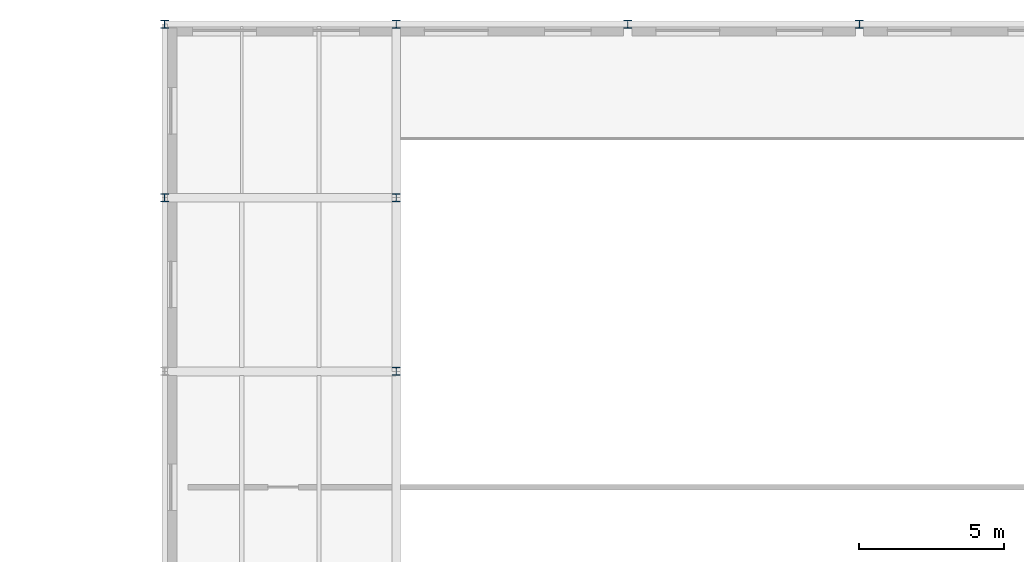
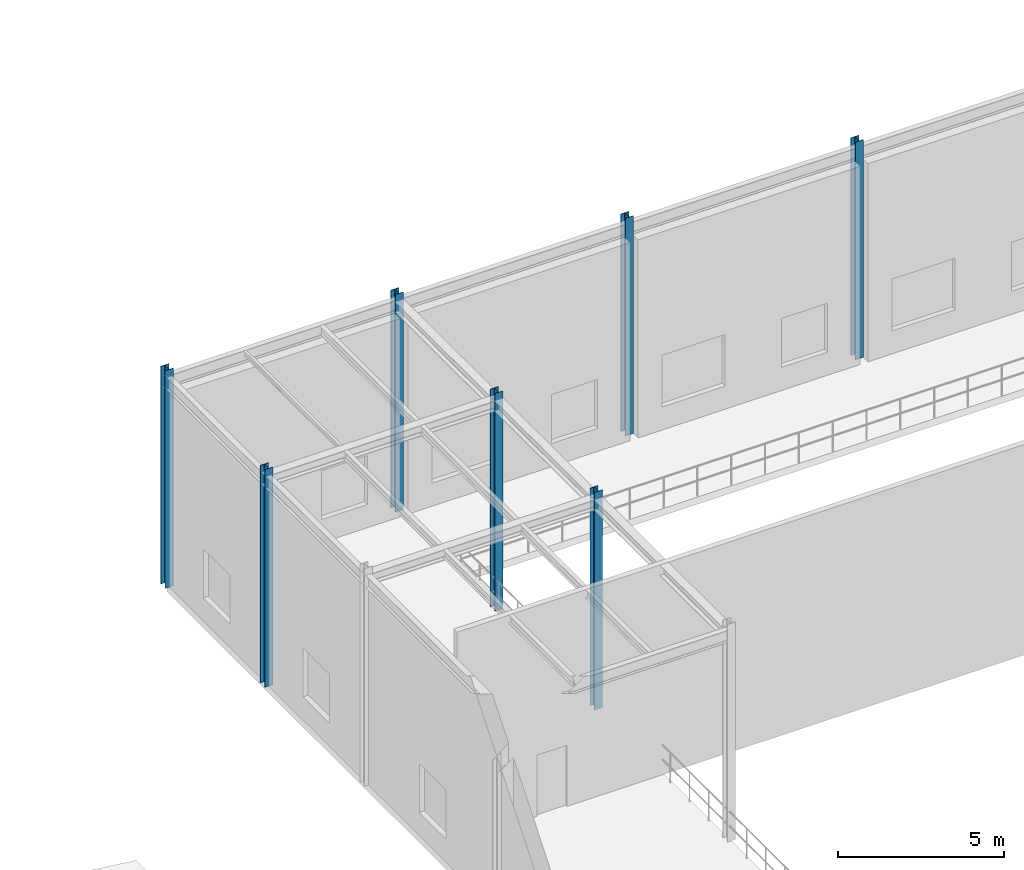
# One storey, part 14 of 138: 7 columns.
"""IFC4 building model written with IfcOpenShell, lengths in metres."""

from ifc_helpers import new_model, si_unit, direction, frame, origin, origin_2d, place, context, subcontext, project, spatial, i_section, extrude, material, material_profile, profile_set, type_object, element, save


model = new_model("IFC4")

# Units and contexts
model_context = context("Model", 3, precision=1e-05, world=origin(), true_north=direction((0.0, 1.0)))
body_context = subcontext(model_context, "Body", "Model", "MODEL_VIEW")
ifc_project = project(units=[si_unit("LENGTHUNIT", "METRE"), si_unit("AREAUNIT", "SQUARE_METRE"), si_unit("VOLUMEUNIT", "CUBIC_METRE"), si_unit("PLANEANGLEUNIT", "RADIAN"), si_unit("MASSUNIT", "GRAM", prefix="KILO")], contexts=[model_context])

# Site, building, storey
site_placement = place(None, origin())
site = spatial("IfcSite", under=ifc_project, at=site_placement, CompositionType="ELEMENT")
building_placement = place(site_placement, origin())
building = spatial("IfcBuilding", under=site, at=building_placement, Name="Sundkrona Museum", CompositionType="ELEMENT")
storey_placement = place(building_placement, frame((0.0, 0.0, 9.60009765625)))
storey = spatial("IfcBuildingStorey", under=building, at=storey_placement, Name="L02", CompositionType="ELEMENT", Elevation=9.60009765625)

# Columns
ifc_material = material(Name="Steel S355J2", Category="steel")
ifc_material_profile = material_profile(ifc_material, i_section(OverallWidth=0.280029296875, OverallDepth=0.280029296875, WebThickness=0.010498046875, FlangeThickness=0.01806640625, FilletRadius=0.02392578125, at=origin_2d()), Name="HEB 280")
ifc_profile_set = profile_set([ifc_material_profile], Name="Steel S355J2")
column_type = type_object("IfcColumnType", Name="C-HEB280", PredefinedType="COLUMN", material=ifc_profile_set)
for number, where, z_axis, x_axis, name in (
    (1, (104.0, 108.0, 0.0), (0.0, 0.0, 1.0), (1.0, 0.0, 0.0), "L02 Column Q/14"),
    (2, (104.0, 114.0, 0.0), (0.0, 0.0, 1.0), (1.0, 0.0, 0.0), "L02 Column R/14"),
    (3, (112.0, 102.0, 0.0), (0.0, 0.0, 1.0), (1.0, 0.0, 0.0), "L02 Column P/15"),
    (4, (112.0, 108.0, 0.0), (0.0, 0.0, 1.0), (1.0, 0.0, 0.0), "L02 Column Q/15"),
    (5, (112.0, 114.0, 0.0), (0.0, 0.0, 1.0), (1.0, 0.0, 0.0), "L02 Column R/15"),
    (6, (120.0, 114.0, 0.0), (0.0, 0.0, 1.0), (1.0, 0.0, 0.0), "L02 Column R/16"),
    (7, (128.0, 114.0, 0.0), (0.0, 0.0, 1.0), (1.0, 0.0, 0.0), "L02 Column R/17"),
):
    element("IfcColumn", number, at=place(storey_placement, frame(where, z_axis=z_axis, x_axis=x_axis)), inside=storey, type_object=column_type, Name=name, PredefinedType="COLUMN", context=body_context, shape_type="SweptSolid", body=[
        extrude(i_section(OverallWidth=0.280029296875, OverallDepth=0.280029296875, WebThickness=0.010498046875, FlangeThickness=0.01806640625, FilletRadius=0.02392578125, at=origin_2d()), origin(), (0.0, 0.0, 1.0), 8.0),
    ])

save(model, "model.ifc")
